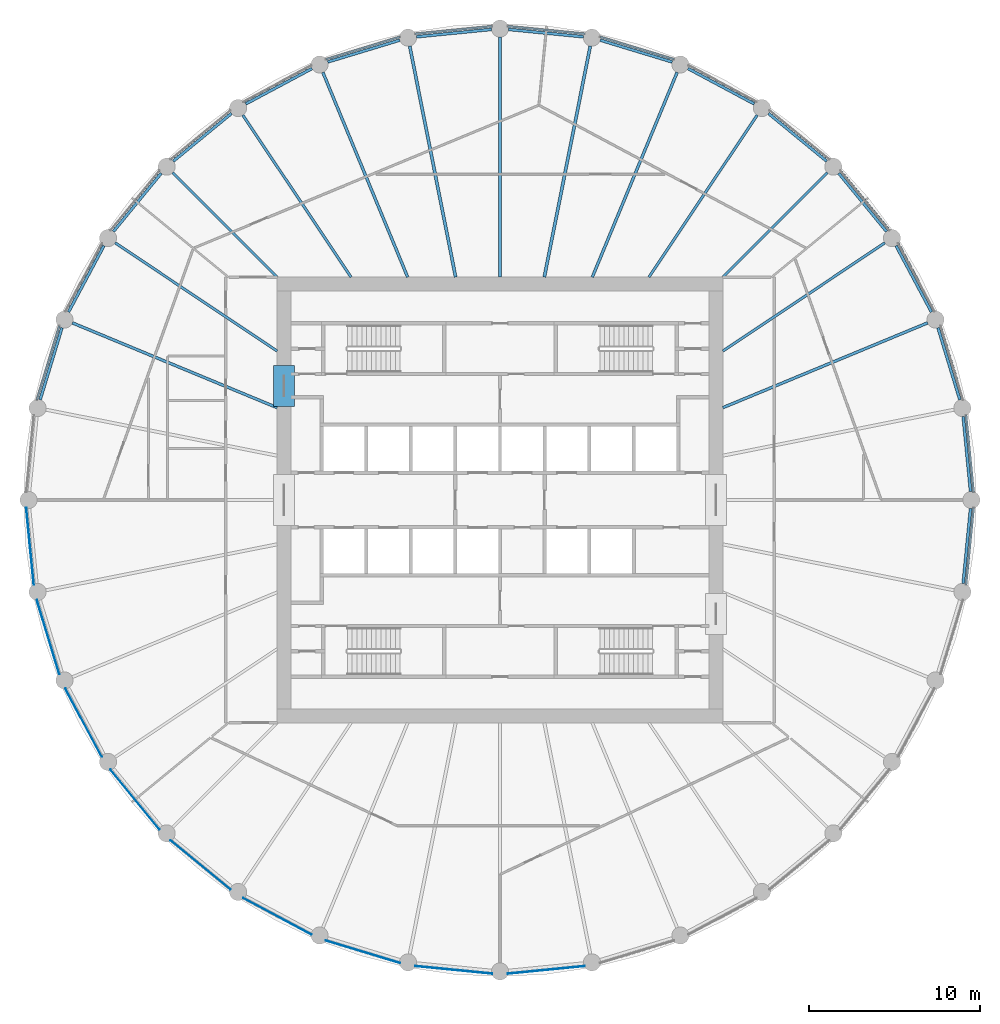
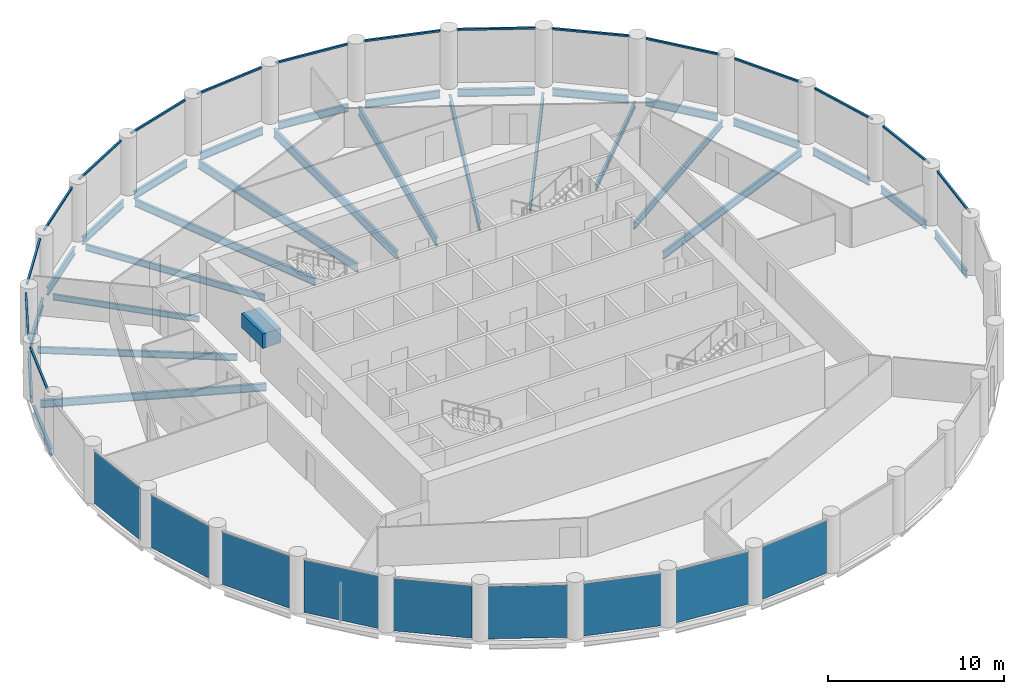
# One storey, part 2 of 8: 30 beams, 16 members, 9 plates, 25 elements without a shape of their own.
"""IFC4 building model written with IfcOpenShell, lengths in metres."""

from ifc_helpers import new_model, si_unit, direction, frame, origin, origin_2d, place, context, subcontext, project, spatial, rectangle, i_section, extrude, material, layer, layer_set, material_profile, profile_set, type_object, element, aggregate, save


model = new_model("IFC4")

# Units and contexts
model_context = context("Model", 3, precision=1e-05, world=origin(), true_north=direction((0.0, 1.0)))
body_context = subcontext(model_context, "Body", "Model", "MODEL_VIEW")
ifc_project = project(units=[si_unit("LENGTHUNIT", "METRE"), si_unit("AREAUNIT", "SQUARE_METRE"), si_unit("VOLUMEUNIT", "CUBIC_METRE"), si_unit("PLANEANGLEUNIT", "RADIAN"), si_unit("MASSUNIT", "GRAM", prefix="KILO")], contexts=[model_context])

# Site, building, storey
site_placement = place(None, origin())
site = spatial("IfcSite", under=ifc_project, at=site_placement, CompositionType="ELEMENT")
building_placement = place(site_placement, origin())
building = spatial("IfcBuilding", under=site, at=building_placement, Name="Corvane Civic Tower", CompositionType="ELEMENT")
storey_placement = place(building_placement, frame((0.0, 0.0, 241.5)))
storey = spatial("IfcBuildingStorey", under=building, at=storey_placement, Name="L57", CompositionType="ELEMENT", Elevation=241.5)

# Beams
ifc_material_1 = material(Name="Concrete C50/60", Category="concrete")
ifc_material_profile_1 = material_profile(ifc_material_1, rectangle(XDim=1.199951171875, YDim=1.0, at=origin_2d()), Name="COUPLING BEAM 1200X1000")
ifc_profile_set_1 = profile_set([ifc_material_profile_1], Name="Concrete C50/60")
beam_type_1 = type_object("IfcBeamType", Name="COUPLING BEAM COUPLING BEAM 1200X1000", PredefinedType="BEAM", material=ifc_profile_set_1)
beam_1_placement = place(storey_placement, frame((-12.60009765625, 5.449951171875, 2.60009765625), z_axis=(0.0, 1.0, 0.0), x_axis=(-1.0, 0.0, 0.0)))
element("IfcBeam", 1, at=beam_1_placement, inside=storey, type_object=beam_type_1, Name="BM-L57-cpl-CW-WN", PredefinedType="BEAM", context=body_context, shape_type="SweptSolid", body=[
    extrude(rectangle(XDim=1.199951171875, YDim=1.0, at=origin_2d()), origin(), (0.0, 0.0, 1.0), 2.400146484375),
])
ifc_material_2 = material(Name="Steel ASTM A992 Gr 50", Category="steel")
ifc_material_profile_2 = material_profile(ifc_material_2, i_section(OverallWidth=0.165771484375, OverallDepth=0.5283203125, WebThickness=0.009765625, FlangeThickness=0.013671875, at=origin_2d()), Name="W21X50")
ifc_profile_set_2 = profile_set([ifc_material_profile_2], Name="Steel ASTM A992 Gr 50")
beam_type_2 = type_object("IfcBeamType", Name="EDGE BEAM W21X50", PredefinedType="BEAM", material=ifc_profile_set_2)
beam_2_placement = place(storey_placement, frame((0.49755859375, 27.450927734375, -0.564208984375), z_axis=(0.995189593769, -0.097967711281, 0.0), x_axis=(0.097967711281, 0.995189593769, 0.0)))
element("IfcBeam", 2, at=beam_2_placement, inside=storey, type_object=beam_type_2, Name="BM-L57-E01", PredefinedType="BEAM", context=body_context, shape_type="SweptSolid", body=[
    extrude(i_section(OverallWidth=0.165771484375, OverallDepth=0.5283203125, WebThickness=0.009765625, FlangeThickness=0.013671875, at=origin_2d()), origin(), (0.0, 0.0, 1.0), 4.39111328125),
])
beam_3_placement = place(storey_placement, frame((5.843505859375, 26.826416015625, -0.564208984375), z_axis=(0.956949547653, -0.290254307888, 0.0), x_axis=(0.290254307888, 0.956949547653, 0.0)))
element("IfcBeam", 3, at=beam_3_placement, inside=storey, type_object=beam_type_2, Name="BM-L57-E02", PredefinedType="BEAM", context=body_context, shape_type="SweptSolid", body=[
    extrude(i_section(OverallWidth=0.165771484375, OverallDepth=0.5283203125, WebThickness=0.009765625, FlangeThickness=0.013671875, at=origin_2d()), origin(), (0.0, 0.0, 1.0), 4.390625),
])
for number, where, z_axis, x_axis, name in (
    (4, (10.964599609375, 25.171142578125, -0.564208984375), (0.881907756852, -0.471422006704, 0.0), (0.471422006704, 0.881907756852, 0.0), "BM-L57-E03"),
    (5, (15.66455078125, 22.54833984375, -0.564208984375), (0.773030026524, -0.634369433447, 0.0), (0.634369433447, 0.773030026524, 0.0), "BM-L57-E04"),
    (6, (19.7626953125, 19.05908203125, -0.564208984375), (0.634369433447, -0.773030026524, 0.0), (0.773030026524, 0.634369433447, 0.0), "BM-L57-E05"),
    (7, (23.10107421875, 14.837158203125, -0.564208984375), (0.471422006704, -0.881907756852, 0.0), (0.881907756852, 0.471422006704, 0.0), "BM-L57-E06"),
):
    element("IfcBeam", number, at=place(storey_placement, frame(where, z_axis=z_axis, x_axis=x_axis)), inside=storey, type_object=beam_type_2, Name=name, PredefinedType="BEAM", context=body_context, shape_type="SweptSolid", body=[
        extrude(i_section(OverallWidth=0.165771484375, OverallDepth=0.5283203125, WebThickness=0.009765625, FlangeThickness=0.013671875, at=origin_2d()), origin(), (0.0, 0.0, 1.0), 4.39111328125),
    ])
beam_4_placement = place(storey_placement, frame((25.552001953125, 10.045166015625, -0.564208984375), z_axis=(0.290254307888, -0.956949547653, 0.0), x_axis=(0.956949547653, 0.290254307888, 0.0)))
element("IfcBeam", 8, at=beam_4_placement, inside=storey, type_object=beam_type_2, Name="BM-L57-E07", PredefinedType="BEAM", context=body_context, shape_type="SweptSolid", body=[
    extrude(i_section(OverallWidth=0.165771484375, OverallDepth=0.5283203125, WebThickness=0.009765625, FlangeThickness=0.013671875, at=origin_2d()), origin(), (0.0, 0.0, 1.0), 4.390625),
])
for number, where, z_axis, x_axis, name in (
    (9, (27.020751953125, 4.867431640625, -0.564208984375), (0.097967711281, -0.995189593769, 0.0), (0.995189593769, 0.097967711281, 0.0), "BM-L57-E08"),
    (10, (27.450927734375, -0.49755859375, -0.564208984375), (-0.097967711281, -0.995189593769, 0.0), (0.995189593769, -0.097967711281, 0.0), "BM-L57-E09"),
):
    element("IfcBeam", number, at=place(storey_placement, frame(where, z_axis=z_axis, x_axis=x_axis)), inside=storey, type_object=beam_type_2, Name=name, PredefinedType="BEAM", context=body_context, shape_type="SweptSolid", body=[
        extrude(i_section(OverallWidth=0.165771484375, OverallDepth=0.5283203125, WebThickness=0.009765625, FlangeThickness=0.013671875, at=origin_2d()), origin(), (0.0, 0.0, 1.0), 4.39111328125),
    ])
beam_5_placement = place(storey_placement, frame((-26.826416015625, 5.843505859375, -0.564208984375), z_axis=(0.290254307888, 0.956949547653, 0.0), x_axis=(-0.956949547653, 0.290254307888, 0.0)))
element("IfcBeam", 11, at=beam_5_placement, inside=storey, type_object=beam_type_2, Name="BM-L57-E26", PredefinedType="BEAM", context=body_context, shape_type="SweptSolid", body=[
    extrude(i_section(OverallWidth=0.165771484375, OverallDepth=0.5283203125, WebThickness=0.009765625, FlangeThickness=0.013671875, at=origin_2d()), origin(), (0.0, 0.0, 1.0), 4.390625),
])
for number, where, z_axis, x_axis, name in (
    (12, (-25.171142578125, 10.964599609375, -0.564208984375), (0.471422006704, 0.881907756852, 0.0), (-0.881907756852, 0.471422006704, 0.0), "BM-L57-E27"),
    (13, (-22.54833984375, 15.66455078125, -0.564208984375), (0.634369433447, 0.773030026524, 0.0), (-0.773030026524, 0.634369433447, 0.0), "BM-L57-E28"),
    (14, (-19.05908203125, 19.7626953125, -0.564208984375), (0.773030026524, 0.634369433447, 0.0), (-0.634369433447, 0.773030026524, 0.0), "BM-L57-E29"),
    (15, (-14.837158203125, 23.10107421875, -0.564208984375), (0.881907756852, 0.471422006704, 0.0), (-0.471422006704, 0.881907756852, 0.0), "BM-L57-E30"),
):
    element("IfcBeam", number, at=place(storey_placement, frame(where, z_axis=z_axis, x_axis=x_axis)), inside=storey, type_object=beam_type_2, Name=name, PredefinedType="BEAM", context=body_context, shape_type="SweptSolid", body=[
        extrude(i_section(OverallWidth=0.165771484375, OverallDepth=0.5283203125, WebThickness=0.009765625, FlangeThickness=0.013671875, at=origin_2d()), origin(), (0.0, 0.0, 1.0), 4.39111328125),
    ])
beam_6_placement = place(storey_placement, frame((-10.045166015625, 25.552001953125, -0.564208984375), z_axis=(0.956949547653, 0.290254307888, 0.0), x_axis=(-0.290254307888, 0.956949547653, 0.0)))
element("IfcBeam", 16, at=beam_6_placement, inside=storey, type_object=beam_type_2, Name="BM-L57-E31", PredefinedType="BEAM", context=body_context, shape_type="SweptSolid", body=[
    extrude(i_section(OverallWidth=0.165771484375, OverallDepth=0.5283203125, WebThickness=0.009765625, FlangeThickness=0.013671875, at=origin_2d()), origin(), (0.0, 0.0, 1.0), 4.390625),
])
beam_7_placement = place(storey_placement, frame((-4.867431640625, 27.020751953125, -0.564208984375), z_axis=(0.995189593769, 0.097967711281, 0.0), x_axis=(-0.097967711281, 0.995189593769, 0.0)))
element("IfcBeam", 17, at=beam_7_placement, inside=storey, type_object=beam_type_2, Name="BM-L57-E32", PredefinedType="BEAM", context=body_context, shape_type="SweptSolid", body=[
    extrude(i_section(OverallWidth=0.165771484375, OverallDepth=0.5283203125, WebThickness=0.009765625, FlangeThickness=0.013671875, at=origin_2d()), origin(), (0.0, 0.0, 1.0), 4.39111328125),
])
ifc_material_3 = material(Name="Steel ASTM A992 Gr 50", Category="steel")
ifc_material_profile_3 = material_profile(ifc_material_3, i_section(OverallWidth=0.140380859375, OverallDepth=0.40380859375, WebThickness=0.007080078125, FlangeThickness=0.01123046875, at=origin_2d()), Name="W16X31")
ifc_profile_set_3 = profile_set([ifc_material_profile_3], Name="Steel ASTM A992 Gr 50")
beam_type_3 = type_object("IfcBeamType", Name="FLOOR GIRDER W16X31", PredefinedType="BEAM", material=ifc_profile_set_3)
for number, where, z_axis, x_axis, name in (
    (18, (13.0, 13.0, -0.501953125), (0.707106781187, 0.707106781187, 0.0), (-0.707106781187, 0.707106781187, 0.0), "BM-L57-G05"),
    (19, (-13.0, 13.0, -0.501953125), (-0.707106781187, 0.707106781187, 0.0), (-0.707106781187, -0.707106781187, 0.0), "BM-L57-G29"),
):
    element("IfcBeam", number, at=place(storey_placement, frame(where, z_axis=z_axis, x_axis=x_axis)), inside=storey, type_object=beam_type_3, Name=name, PredefinedType="BEAM", context=body_context, shape_type="SweptSolid", body=[
        extrude(i_section(OverallWidth=0.140380859375, OverallDepth=0.40380859375, WebThickness=0.007080078125, FlangeThickness=0.01123046875, at=origin_2d()), origin(), (0.0, 0.0, 1.0), 8.614990234375),
    ])
ifc_material_4 = material(Name="Steel ASTM A992 Gr 50", Category="steel")
ifc_material_profile_4 = material_profile(ifc_material_4, i_section(OverallWidth=0.15283203125, OverallDepth=0.45458984375, WebThickness=0.008056640625, FlangeThickness=0.013427734375, at=origin_2d()), Name="W18X40")
ifc_profile_set_4 = profile_set([ifc_material_profile_4], Name="Steel ASTM A992 Gr 50")
beam_type_4 = type_object("IfcBeamType", Name="FLOOR GIRDER W18X40", PredefinedType="BEAM", material=ifc_profile_set_4)
for number, where, z_axis, x_axis, name in (
    (20, (8.686279296875, 13.0, -0.52734375), (0.555577326485, 0.831464872557, 0.0), (-0.831464872557, 0.555577326485, 0.0), "BM-L57-G04"),
    (21, (13.0, 8.686279296875, -0.52734375), (0.831464872557, 0.555577326485, 0.0), (-0.555577326485, 0.831464872557, 0.0), "BM-L57-G06"),
    (22, (-13.0, 8.686279296875, -0.52734375), (-0.831464872557, 0.555577326485, 0.0), (-0.555577326485, -0.831464872557, 0.0), "BM-L57-G28"),
    (23, (-8.686279296875, 13.0, -0.52734375), (-0.555577326485, 0.831464872557, 0.0), (-0.831464872557, -0.555577326485, 0.0), "BM-L57-G30"),
):
    element("IfcBeam", number, at=place(storey_placement, frame(where, z_axis=z_axis, x_axis=x_axis)), inside=storey, type_object=beam_type_4, Name=name, PredefinedType="BEAM", context=body_context, shape_type="SweptSolid", body=[
        extrude(i_section(OverallWidth=0.15283203125, OverallDepth=0.45458984375, WebThickness=0.008056640625, FlangeThickness=0.013427734375, at=origin_2d()), origin(), (0.0, 0.0, 1.0), 11.365234375),
    ])
ifc_material_5 = material(Name="Steel ASTM A992 Gr 50", Category="steel")
ifc_material_profile_5 = material_profile(ifc_material_5, i_section(OverallWidth=0.165771484375, OverallDepth=0.5283203125, WebThickness=0.009765625, FlangeThickness=0.013671875, at=origin_2d()), Name="W21X50")
ifc_profile_set_5 = profile_set([ifc_material_profile_5], Name="Steel ASTM A992 Gr 50")
beam_type_5 = type_object("IfcBeamType", Name="FLOOR GIRDER W21X50", PredefinedType="BEAM", material=ifc_profile_set_5)
for number, where, z_axis, x_axis, name in (
    (24, (5.384765625, 13.0, -0.564208984375), (0.382686450378, 0.923878282404, 0.0), (-0.923878282404, 0.382686450378, 0.0), "BM-L57-G03"),
    (25, (13.0, 5.384765625, -0.564208984375), (0.923878282404, 0.382686450378, 0.0), (-0.382686450378, 0.923878282404, 0.0), "BM-L57-G07"),
    (26, (-13.0, 5.384765625, -0.564208984375), (-0.923878282404, 0.382686450378, 0.0), (-0.382686450378, -0.923878282404, 0.0), "BM-L57-G27"),
    (27, (-5.384765625, 13.0, -0.564208984375), (-0.382686450378, 0.923878282404, 0.0), (-0.923878282404, -0.382686450378, 0.0), "BM-L57-G31"),
):
    element("IfcBeam", number, at=place(storey_placement, frame(where, z_axis=z_axis, x_axis=x_axis)), inside=storey, type_object=beam_type_5, Name=name, PredefinedType="BEAM", context=body_context, shape_type="SweptSolid", body=[
        extrude(i_section(OverallWidth=0.165771484375, OverallDepth=0.5283203125, WebThickness=0.009765625, FlangeThickness=0.013671875, at=origin_2d()), origin(), (0.0, 0.0, 1.0), 12.928955078125),
    ])
ifc_material_6 = material(Name="Steel ASTM A992 Gr 50", Category="steel")
ifc_material_profile_6 = material_profile(ifc_material_6, i_section(OverallWidth=0.177978515625, OverallDepth=0.599365234375, WebThickness=0.010009765625, FlangeThickness=0.012939453125, at=origin_2d()), Name="W24X55")
ifc_profile_set_6 = profile_set([ifc_material_profile_6], Name="Steel ASTM A992 Gr 50")
beam_type_6 = type_object("IfcBeamType", Name="FLOOR GIRDER W24X55", PredefinedType="BEAM", material=ifc_profile_set_6)
beam_8_placement = place(storey_placement, frame((0.0, 13.0, -0.599609375), z_axis=(0.0, 1.0, 0.0), x_axis=(-1.0, 0.0, 0.0)))
element("IfcBeam", 28, at=beam_8_placement, inside=storey, type_object=beam_type_6, Name="BM-L57-G01", PredefinedType="BEAM", context=body_context, shape_type="SweptSolid", body=[
    extrude(i_section(OverallWidth=0.177978515625, OverallDepth=0.599365234375, WebThickness=0.010009765625, FlangeThickness=0.012939453125, at=origin_2d()), origin(), (0.0, 0.0, 1.0), 14.0),
])
for number, where, z_axis, x_axis, name in (
    (29, (2.5859375, 13.0, -0.599609375), (0.195077644118, 0.980787802109, 0.0), (-0.980787802109, 0.195077644118, 0.0), "BM-L57-G02"),
    (30, (-2.5859375, 13.0, -0.599609375), (-0.195077644118, 0.980787802109, 0.0), (-0.980787802109, -0.195077644118, 0.0), "BM-L57-G32"),
):
    element("IfcBeam", number, at=place(storey_placement, frame(where, z_axis=z_axis, x_axis=x_axis)), inside=storey, type_object=beam_type_6, Name=name, PredefinedType="BEAM", context=body_context, shape_type="SweptSolid", body=[
        extrude(i_section(OverallWidth=0.177978515625, OverallDepth=0.599365234375, WebThickness=0.010009765625, FlangeThickness=0.012939453125, at=origin_2d()), origin(), (0.0, 0.0, 1.0), 13.745361328125),
    ])

# Curtain wall, member
ifc_material_7 = material(Name="Anodised aluminium bronze", Category="aluminium")
curtain_wall_type = type_object("IfcCurtainWallType", Name="TOWER CW-T2 STICK CURTAIN WALL", PredefinedType="NOTDEFINED", material=ifc_material_7)
curtain_wall_1_placement = place(storey_placement, origin())
curtain_wall_1 = element("IfcCurtainWall", 31, at=curtain_wall_1_placement, inside=storey, type_object=curtain_wall_type, Name="Curtain wall CW-T2 L57 bay 01", PredefinedType="NOTDEFINED")
ifc_material_8 = material(Name="Anodised aluminium bronze", Category="aluminium")
ifc_material_profile_7 = material_profile(ifc_material_8, rectangle(XDim=0.1201171875, YDim=0.1201171875, at=origin_2d()), Name="TOWER CW-T2 TRANSOM 120x120")
ifc_profile_set_7 = profile_set([ifc_material_profile_7], Name="Anodised aluminium bronze")
member_type = type_object("IfcMemberType", Name="TOWER CW-T2 TRANSOM 120x120", PredefinedType="USERDEFINED", material=ifc_profile_set_7)
member_1_placement = place(storey_placement, frame((0.452392578125, 27.635498046875, 3.68994140625), z_axis=(0.995182207386, -0.098042715701, 0.0), x_axis=(0.098042715701, 0.995182207386, 0.0)))
member_1 = element("IfcMember", 32, at=member_1_placement, type_object=member_type, Name="Transom CW-T2 L57 01.1", ObjectType="TRANSOM", PredefinedType="USERDEFINED", context=body_context, shape_type="SweptSolid", body=[
    extrude(rectangle(XDim=0.1201171875, YDim=0.1201171875, at=origin_2d()), origin(), (0.0, 0.0, 1.0), 4.51708984375),
])
aggregate(curtain_wall_1, [member_1])

curtain_wall_2_placement = place(storey_placement, origin())
curtain_wall_2 = element("IfcCurtainWall", 33, at=curtain_wall_2_placement, inside=storey, type_object=curtain_wall_type, Name="Curtain wall CW-T2 L57 bay 02", PredefinedType="NOTDEFINED")
member_2_placement = place(storey_placement, frame((5.8349609375, 27.016357421875, 3.68994140625), z_axis=(0.956941182173, -0.2902818869, 0.0), x_axis=(0.2902818869, 0.956941182173, 0.0)))
member_2 = element("IfcMember", 34, at=member_2_placement, type_object=member_type, Name="Transom CW-T2 L57 02.1", ObjectType="TRANSOM", PredefinedType="USERDEFINED", context=body_context, shape_type="SweptSolid", body=[
    extrude(rectangle(XDim=0.1201171875, YDim=0.1201171875, at=origin_2d()), origin(), (0.0, 0.0, 1.0), 4.517333984375),
])
aggregate(curtain_wall_2, [member_2])

curtain_wall_3_placement = place(storey_placement, origin())
curtain_wall_3 = element("IfcCurtainWall", 35, at=curtain_wall_3_placement, inside=storey, type_object=curtain_wall_type, Name="Curtain wall CW-T2 L57 bay 03", PredefinedType="NOTDEFINED")
member_3_placement = place(storey_placement, frame((10.993408203125, 25.35888671875, 3.68994140625), z_axis=(0.881924695689, -0.471390317183, 0.0), x_axis=(0.471390317183, 0.881924695689, 0.0)))
member_3 = element("IfcMember", 36, at=member_3_placement, type_object=member_type, Name="Transom CW-T2 L57 03.1", ObjectType="TRANSOM", PredefinedType="USERDEFINED", context=body_context, shape_type="SweptSolid", body=[
    extrude(rectangle(XDim=0.1201171875, YDim=0.1201171875, at=origin_2d()), origin(), (0.0, 0.0, 1.0), 4.517333984375),
])
aggregate(curtain_wall_3, [member_3])

curtain_wall_4_placement = place(storey_placement, origin())
curtain_wall_4 = element("IfcCurtainWall", 37, at=curtain_wall_4_placement, inside=storey, type_object=curtain_wall_type, Name="Curtain wall CW-T2 L57 bay 04", PredefinedType="NOTDEFINED")
member_4_placement = place(storey_placement, frame((15.7294921875, 22.726806640625, 3.68994140625), z_axis=(0.773014925698, -0.634387834569, 0.0), x_axis=(0.634387834569, 0.773014925698, 0.0)))
member_4 = element("IfcMember", 38, at=member_4_placement, type_object=member_type, Name="Transom CW-T2 L57 04.1", ObjectType="TRANSOM", PredefinedType="USERDEFINED", context=body_context, shape_type="SweptSolid", body=[
    extrude(rectangle(XDim=0.1201171875, YDim=0.1201171875, at=origin_2d()), origin(), (0.0, 0.0, 1.0), 4.517333984375),
])
aggregate(curtain_wall_4, [member_4])

curtain_wall_5_placement = place(storey_placement, origin())
curtain_wall_5 = element("IfcCurtainWall", 39, at=curtain_wall_5_placement, inside=storey, type_object=curtain_wall_type, Name="Curtain wall CW-T2 L57 bay 05", PredefinedType="NOTDEFINED")
member_5_placement = place(storey_placement, frame((19.861083984375, 19.221435546875, 3.68994140625), z_axis=(0.634387834569, -0.773014925698, 0.0), x_axis=(0.773014925698, 0.634387834569, 0.0)))
member_5 = element("IfcMember", 40, at=member_5_placement, type_object=member_type, Name="Transom CW-T2 L57 05.1", ObjectType="TRANSOM", PredefinedType="USERDEFINED", context=body_context, shape_type="SweptSolid", body=[
    extrude(rectangle(XDim=0.1201171875, YDim=0.1201171875, at=origin_2d()), origin(), (0.0, 0.0, 1.0), 4.517333984375),
])
aggregate(curtain_wall_5, [member_5])

curtain_wall_6_placement = place(storey_placement, origin())
curtain_wall_6 = element("IfcCurtainWall", 41, at=curtain_wall_6_placement, inside=storey, type_object=curtain_wall_type, Name="Curtain wall CW-T2 L57 bay 06", PredefinedType="NOTDEFINED")
member_6_placement = place(storey_placement, frame((23.2294921875, 14.977294921875, 3.68994140625), z_axis=(0.471390317183, -0.881924695689, 0.0), x_axis=(0.881924695689, 0.471390317183, 0.0)))
member_6 = element("IfcMember", 42, at=member_6_placement, type_object=member_type, Name="Transom CW-T2 L57 06.1", ObjectType="TRANSOM", PredefinedType="USERDEFINED", context=body_context, shape_type="SweptSolid", body=[
    extrude(rectangle(XDim=0.1201171875, YDim=0.1201171875, at=origin_2d()), origin(), (0.0, 0.0, 1.0), 4.517333984375),
])
aggregate(curtain_wall_6, [member_6])

curtain_wall_7_placement = place(storey_placement, origin())
curtain_wall_7 = element("IfcCurtainWall", 43, at=curtain_wall_7_placement, inside=storey, type_object=curtain_wall_type, Name="Curtain wall CW-T2 L57 bay 07", PredefinedType="NOTDEFINED")
member_7_placement = place(storey_placement, frame((25.705078125, 10.15771484375, 3.68994140625), z_axis=(0.2902818869, -0.956941182173, 0.0), x_axis=(0.956941182173, 0.2902818869, 0.0)))
member_7 = element("IfcMember", 44, at=member_7_placement, type_object=member_type, Name="Transom CW-T2 L57 07.1", ObjectType="TRANSOM", PredefinedType="USERDEFINED", context=body_context, shape_type="SweptSolid", body=[
    extrude(rectangle(XDim=0.1201171875, YDim=0.1201171875, at=origin_2d()), origin(), (0.0, 0.0, 1.0), 4.517333984375),
])
aggregate(curtain_wall_7, [member_7])

curtain_wall_8_placement = place(storey_placement, origin())
curtain_wall_8 = element("IfcCurtainWall", 45, at=curtain_wall_8_placement, inside=storey, type_object=curtain_wall_type, Name="Curtain wall CW-T2 L57 bay 08", PredefinedType="NOTDEFINED")
member_8_placement = place(storey_placement, frame((27.192626953125, 4.94775390625, 3.68994140625), z_axis=(0.098042715701, -0.995182207386, 0.0), x_axis=(0.995182207386, 0.098042715701, 0.0)))
member_8 = element("IfcMember", 46, at=member_8_placement, type_object=member_type, Name="Transom CW-T2 L57 08.1", ObjectType="TRANSOM", PredefinedType="USERDEFINED", context=body_context, shape_type="SweptSolid", body=[
    extrude(rectangle(XDim=0.1201171875, YDim=0.1201171875, at=origin_2d()), origin(), (0.0, 0.0, 1.0), 4.51708984375),
])
aggregate(curtain_wall_8, [member_8])

curtain_wall_9_placement = place(storey_placement, origin())
curtain_wall_9 = element("IfcCurtainWall", 47, at=curtain_wall_9_placement, inside=storey, type_object=curtain_wall_type, Name="Curtain wall CW-T2 L57 bay 09", PredefinedType="NOTDEFINED")
member_9_placement = place(storey_placement, frame((27.635498046875, -0.452392578125, 3.68994140625), z_axis=(-0.098042715701, -0.995182207386, 0.0), x_axis=(0.995182207386, -0.098042715701, 0.0)))
member_9 = element("IfcMember", 48, at=member_9_placement, type_object=member_type, Name="Transom CW-T2 L57 09.1", ObjectType="TRANSOM", PredefinedType="USERDEFINED", context=body_context, shape_type="SweptSolid", body=[
    extrude(rectangle(XDim=0.1201171875, YDim=0.1201171875, at=origin_2d()), origin(), (0.0, 0.0, 1.0), 4.51708984375),
])
aggregate(curtain_wall_9, [member_9])

curtain_wall_10_placement = place(storey_placement, origin())
curtain_wall_10 = element("IfcCurtainWall", 49, at=curtain_wall_10_placement, inside=storey, type_object=curtain_wall_type, Name="Curtain wall CW-T2 L57 bay 26", PredefinedType="NOTDEFINED")
member_10_placement = place(storey_placement, frame((-27.016357421875, 5.8349609375, 3.68994140625), z_axis=(0.2902818869, 0.956941182173, 0.0), x_axis=(-0.956941182173, 0.2902818869, 0.0)))
member_10 = element("IfcMember", 50, at=member_10_placement, type_object=member_type, Name="Transom CW-T2 L57 26.1", ObjectType="TRANSOM", PredefinedType="USERDEFINED", context=body_context, shape_type="SweptSolid", body=[
    extrude(rectangle(XDim=0.1201171875, YDim=0.1201171875, at=origin_2d()), origin(), (0.0, 0.0, 1.0), 4.517333984375),
])
aggregate(curtain_wall_10, [member_10])

curtain_wall_11_placement = place(storey_placement, origin())
curtain_wall_11 = element("IfcCurtainWall", 51, at=curtain_wall_11_placement, inside=storey, type_object=curtain_wall_type, Name="Curtain wall CW-T2 L57 bay 27", PredefinedType="NOTDEFINED")
member_11_placement = place(storey_placement, frame((-25.35888671875, 10.993408203125, 3.68994140625), z_axis=(0.471390317183, 0.881924695689, 0.0), x_axis=(-0.881924695689, 0.471390317183, 0.0)))
member_11 = element("IfcMember", 52, at=member_11_placement, type_object=member_type, Name="Transom CW-T2 L57 27.1", ObjectType="TRANSOM", PredefinedType="USERDEFINED", context=body_context, shape_type="SweptSolid", body=[
    extrude(rectangle(XDim=0.1201171875, YDim=0.1201171875, at=origin_2d()), origin(), (0.0, 0.0, 1.0), 4.517333984375),
])
aggregate(curtain_wall_11, [member_11])

curtain_wall_12_placement = place(storey_placement, origin())
curtain_wall_12 = element("IfcCurtainWall", 53, at=curtain_wall_12_placement, inside=storey, type_object=curtain_wall_type, Name="Curtain wall CW-T2 L57 bay 28", PredefinedType="NOTDEFINED")
member_12_placement = place(storey_placement, frame((-22.726806640625, 15.7294921875, 3.68994140625), z_axis=(0.634387834569, 0.773014925698, 0.0), x_axis=(-0.773014925698, 0.634387834569, 0.0)))
member_12 = element("IfcMember", 54, at=member_12_placement, type_object=member_type, Name="Transom CW-T2 L57 28.1", ObjectType="TRANSOM", PredefinedType="USERDEFINED", context=body_context, shape_type="SweptSolid", body=[
    extrude(rectangle(XDim=0.1201171875, YDim=0.1201171875, at=origin_2d()), origin(), (0.0, 0.0, 1.0), 4.517333984375),
])
aggregate(curtain_wall_12, [member_12])

curtain_wall_13_placement = place(storey_placement, origin())
curtain_wall_13 = element("IfcCurtainWall", 55, at=curtain_wall_13_placement, inside=storey, type_object=curtain_wall_type, Name="Curtain wall CW-T2 L57 bay 29", PredefinedType="NOTDEFINED")
member_13_placement = place(storey_placement, frame((-19.221435546875, 19.861083984375, 3.68994140625), z_axis=(0.773014925698, 0.634387834569, 0.0), x_axis=(-0.634387834569, 0.773014925698, 0.0)))
member_13 = element("IfcMember", 56, at=member_13_placement, type_object=member_type, Name="Transom CW-T2 L57 29.1", ObjectType="TRANSOM", PredefinedType="USERDEFINED", context=body_context, shape_type="SweptSolid", body=[
    extrude(rectangle(XDim=0.1201171875, YDim=0.1201171875, at=origin_2d()), origin(), (0.0, 0.0, 1.0), 4.517333984375),
])
aggregate(curtain_wall_13, [member_13])

curtain_wall_14_placement = place(storey_placement, origin())
curtain_wall_14 = element("IfcCurtainWall", 57, at=curtain_wall_14_placement, inside=storey, type_object=curtain_wall_type, Name="Curtain wall CW-T2 L57 bay 30", PredefinedType="NOTDEFINED")
member_14_placement = place(storey_placement, frame((-14.977294921875, 23.2294921875, 3.68994140625), z_axis=(0.881924695689, 0.471390317183, 0.0), x_axis=(-0.471390317183, 0.881924695689, 0.0)))
member_14 = element("IfcMember", 58, at=member_14_placement, type_object=member_type, Name="Transom CW-T2 L57 30.1", ObjectType="TRANSOM", PredefinedType="USERDEFINED", context=body_context, shape_type="SweptSolid", body=[
    extrude(rectangle(XDim=0.1201171875, YDim=0.1201171875, at=origin_2d()), origin(), (0.0, 0.0, 1.0), 4.517333984375),
])
aggregate(curtain_wall_14, [member_14])

curtain_wall_15_placement = place(storey_placement, origin())
curtain_wall_15 = element("IfcCurtainWall", 59, at=curtain_wall_15_placement, inside=storey, type_object=curtain_wall_type, Name="Curtain wall CW-T2 L57 bay 31", PredefinedType="NOTDEFINED")
member_15_placement = place(storey_placement, frame((-10.15771484375, 25.705078125, 3.68994140625), z_axis=(0.956941182173, 0.2902818869, 0.0), x_axis=(-0.2902818869, 0.956941182173, 0.0)))
member_15 = element("IfcMember", 60, at=member_15_placement, type_object=member_type, Name="Transom CW-T2 L57 31.1", ObjectType="TRANSOM", PredefinedType="USERDEFINED", context=body_context, shape_type="SweptSolid", body=[
    extrude(rectangle(XDim=0.1201171875, YDim=0.1201171875, at=origin_2d()), origin(), (0.0, 0.0, 1.0), 4.517333984375),
])
aggregate(curtain_wall_15, [member_15])

curtain_wall_16_placement = place(storey_placement, origin())
curtain_wall_16 = element("IfcCurtainWall", 61, at=curtain_wall_16_placement, inside=storey, type_object=curtain_wall_type, Name="Curtain wall CW-T2 L57 bay 32", PredefinedType="NOTDEFINED")
member_16_placement = place(storey_placement, frame((-4.94775390625, 27.192626953125, 3.68994140625), z_axis=(0.995182207386, 0.098042715701, 0.0), x_axis=(-0.098042715701, 0.995182207386, 0.0)))
member_16 = element("IfcMember", 62, at=member_16_placement, type_object=member_type, Name="Transom CW-T2 L57 32.1", ObjectType="TRANSOM", PredefinedType="USERDEFINED", context=body_context, shape_type="SweptSolid", body=[
    extrude(rectangle(XDim=0.1201171875, YDim=0.1201171875, at=origin_2d()), origin(), (0.0, 0.0, 1.0), 4.51708984375),
])
aggregate(curtain_wall_16, [member_16])

# Curtain wall, plate
curtain_wall_17_placement = place(storey_placement, origin())
curtain_wall_17 = element("IfcCurtainWall", 63, at=curtain_wall_17_placement, inside=storey, type_object=curtain_wall_type, Name="Curtain wall CW-T2 L57 bay 16", PredefinedType="NOTDEFINED")
ifc_material_9 = material(Name="Tinted glass", Category="glass")
ifc_layer = layer(ifc_material_9, 0.031982421875)
ifc_layer_set = layer_set([ifc_layer], Name="Tinted glass")
plate_type = type_object("IfcPlateType", Name="TOWER CW-T2 PANEL IGU32", PredefinedType="CURTAIN_PANEL", material=ifc_layer_set)
plate_1_placement = place(storey_placement, frame((2.699951171875, -27.4140625, 0.0), z_axis=(0.0, 0.0, 1.0), x_axis=(-0.995187058378, -0.097993463235, 0.0)))
plate_1 = element("IfcPlate", 64, at=plate_1_placement, type_object=plate_type, Name="Glass panel CW-T2 L57 16.1", PredefinedType="CURTAIN_PANEL", context=body_context, shape_type="SweptSolid", body=[
    extrude(rectangle(XDim=4.517333984375, YDim=0.031982421875, at=origin_2d()), origin(), (0.0, 0.0, 1.0), 3.6298828125),
])
aggregate(curtain_wall_17, [plate_1])

curtain_wall_18_placement = place(storey_placement, origin())
curtain_wall_18 = element("IfcCurtainWall", 65, at=curtain_wall_18_placement, inside=storey, type_object=curtain_wall_type, Name="Curtain wall CW-T2 L57 bay 17", PredefinedType="NOTDEFINED")
plate_2_placement = place(storey_placement, frame((-2.699951171875, -27.4140625, 0.0), z_axis=(0.0, 0.0, 1.0), x_axis=(-0.995187058378, 0.097993463235, 0.0)))
plate_2 = element("IfcPlate", 66, at=plate_2_placement, type_object=plate_type, Name="Glass panel CW-T2 L57 17.1", PredefinedType="CURTAIN_PANEL", context=body_context, shape_type="SweptSolid", body=[
    extrude(rectangle(XDim=4.517333984375, YDim=0.031982421875, at=origin_2d()), origin(), (0.0, 0.0, 1.0), 3.6298828125),
])
aggregate(curtain_wall_18, [plate_2])

curtain_wall_19_placement = place(storey_placement, origin())
curtain_wall_19 = element("IfcCurtainWall", 67, at=curtain_wall_19_placement, inside=storey, type_object=curtain_wall_type, Name="Curtain wall CW-T2 L57 bay 18", PredefinedType="NOTDEFINED")
plate_3_placement = place(storey_placement, frame((-7.996337890625, -26.360595703125, 0.0), z_axis=(0.0, 0.0, 1.0), x_axis=(-0.956938843612, 0.290289596069, 0.0)))
plate_3 = element("IfcPlate", 68, at=plate_3_placement, type_object=plate_type, Name="Glass panel CW-T2 L57 18.1", PredefinedType="CURTAIN_PANEL", context=body_context, shape_type="SweptSolid", body=[
    extrude(rectangle(XDim=4.517333984375, YDim=0.031982421875, at=origin_2d()), origin(), (0.0, 0.0, 1.0), 3.6298828125),
])
aggregate(curtain_wall_19, [plate_3])

curtain_wall_20_placement = place(storey_placement, origin())
curtain_wall_20 = element("IfcCurtainWall", 69, at=curtain_wall_20_placement, inside=storey, type_object=curtain_wall_type, Name="Curtain wall CW-T2 L57 bay 19", PredefinedType="NOTDEFINED")
plate_4_placement = place(storey_placement, frame((-12.9853515625, -24.294189453125, 0.0), z_axis=(0.0, 0.0, 1.0), x_axis=(-0.881920381001, 0.471398389449, 0.0)))
plate_4 = element("IfcPlate", 70, at=plate_4_placement, type_object=plate_type, Name="Glass panel CW-T2 L57 19.1", PredefinedType="CURTAIN_PANEL", context=body_context, shape_type="SweptSolid", body=[
    extrude(rectangle(XDim=4.517333984375, YDim=0.031982421875, at=origin_2d()), origin(), (0.0, 0.0, 1.0), 3.6298828125),
])
aggregate(curtain_wall_20, [plate_4])

curtain_wall_21_placement = place(storey_placement, origin())
curtain_wall_21 = element("IfcCurtainWall", 71, at=curtain_wall_21_placement, inside=storey, type_object=curtain_wall_type, Name="Curtain wall CW-T2 L57 bay 20", PredefinedType="NOTDEFINED")
plate_5_placement = place(storey_placement, frame((-17.475341796875, -21.2939453125, 0.0), z_axis=(0.0, 0.0, 1.0), x_axis=(-0.773012269331, 0.634391071394, 0.0)))
plate_5 = element("IfcPlate", 72, at=plate_5_placement, type_object=plate_type, Name="Glass panel CW-T2 L57 20.1", PredefinedType="CURTAIN_PANEL", context=body_context, shape_type="SweptSolid", body=[
    extrude(rectangle(XDim=4.517333984375, YDim=0.031982421875, at=origin_2d()), origin(), (0.0, 0.0, 1.0), 3.6298828125),
])
aggregate(curtain_wall_21, [plate_5])

curtain_wall_22_placement = place(storey_placement, origin())
curtain_wall_22 = element("IfcCurtainWall", 73, at=curtain_wall_22_placement, inside=storey, type_object=curtain_wall_type, Name="Curtain wall CW-T2 L57 bay 21", PredefinedType="NOTDEFINED")
plate_6_placement = place(storey_placement, frame((-21.2939453125, -17.475341796875, 0.0), z_axis=(0.0, 0.0, 1.0), x_axis=(-0.634391071394, 0.773012269331, 0.0)))
plate_6 = element("IfcPlate", 74, at=plate_6_placement, type_object=plate_type, Name="Glass panel CW-T2 L57 21.1", PredefinedType="CURTAIN_PANEL", context=body_context, shape_type="SweptSolid", body=[
    extrude(rectangle(XDim=4.517333984375, YDim=0.031982421875, at=origin_2d()), origin(), (0.0, 0.0, 1.0), 3.6298828125),
])
aggregate(curtain_wall_22, [plate_6])

curtain_wall_23_placement = place(storey_placement, origin())
curtain_wall_23 = element("IfcCurtainWall", 75, at=curtain_wall_23_placement, inside=storey, type_object=curtain_wall_type, Name="Curtain wall CW-T2 L57 bay 22", PredefinedType="NOTDEFINED")
plate_7_placement = place(storey_placement, frame((-24.294189453125, -12.9853515625, 0.0), z_axis=(0.0, 0.0, 1.0), x_axis=(-0.471398389449, 0.881920381001, 0.0)))
plate_7 = element("IfcPlate", 76, at=plate_7_placement, type_object=plate_type, Name="Glass panel CW-T2 L57 22.1", PredefinedType="CURTAIN_PANEL", context=body_context, shape_type="SweptSolid", body=[
    extrude(rectangle(XDim=4.517333984375, YDim=0.031982421875, at=origin_2d()), origin(), (0.0, 0.0, 1.0), 3.6298828125),
])
aggregate(curtain_wall_23, [plate_7])

curtain_wall_24_placement = place(storey_placement, origin())
curtain_wall_24 = element("IfcCurtainWall", 77, at=curtain_wall_24_placement, inside=storey, type_object=curtain_wall_type, Name="Curtain wall CW-T2 L57 bay 23", PredefinedType="NOTDEFINED")
plate_8_placement = place(storey_placement, frame((-26.360595703125, -7.996337890625, 0.0), z_axis=(0.0, 0.0, 1.0), x_axis=(-0.290289596069, 0.956938843612, 0.0)))
plate_8 = element("IfcPlate", 78, at=plate_8_placement, type_object=plate_type, Name="Glass panel CW-T2 L57 23.1", PredefinedType="CURTAIN_PANEL", context=body_context, shape_type="SweptSolid", body=[
    extrude(rectangle(XDim=4.517333984375, YDim=0.031982421875, at=origin_2d()), origin(), (0.0, 0.0, 1.0), 3.6298828125),
])
aggregate(curtain_wall_24, [plate_8])

curtain_wall_25_placement = place(storey_placement, origin())
curtain_wall_25 = element("IfcCurtainWall", 79, at=curtain_wall_25_placement, inside=storey, type_object=curtain_wall_type, Name="Curtain wall CW-T2 L57 bay 24", PredefinedType="NOTDEFINED")
plate_9_placement = place(storey_placement, frame((-27.4140625, -2.699951171875, 0.0), z_axis=(0.0, 0.0, 1.0), x_axis=(-0.097993463235, 0.995187058378, 0.0)))
plate_9 = element("IfcPlate", 80, at=plate_9_placement, type_object=plate_type, Name="Glass panel CW-T2 L57 24.1", PredefinedType="CURTAIN_PANEL", context=body_context, shape_type="SweptSolid", body=[
    extrude(rectangle(XDim=4.517333984375, YDim=0.031982421875, at=origin_2d()), origin(), (0.0, 0.0, 1.0), 3.6298828125),
])
aggregate(curtain_wall_25, [plate_9])

save(model, "model.ifc")
